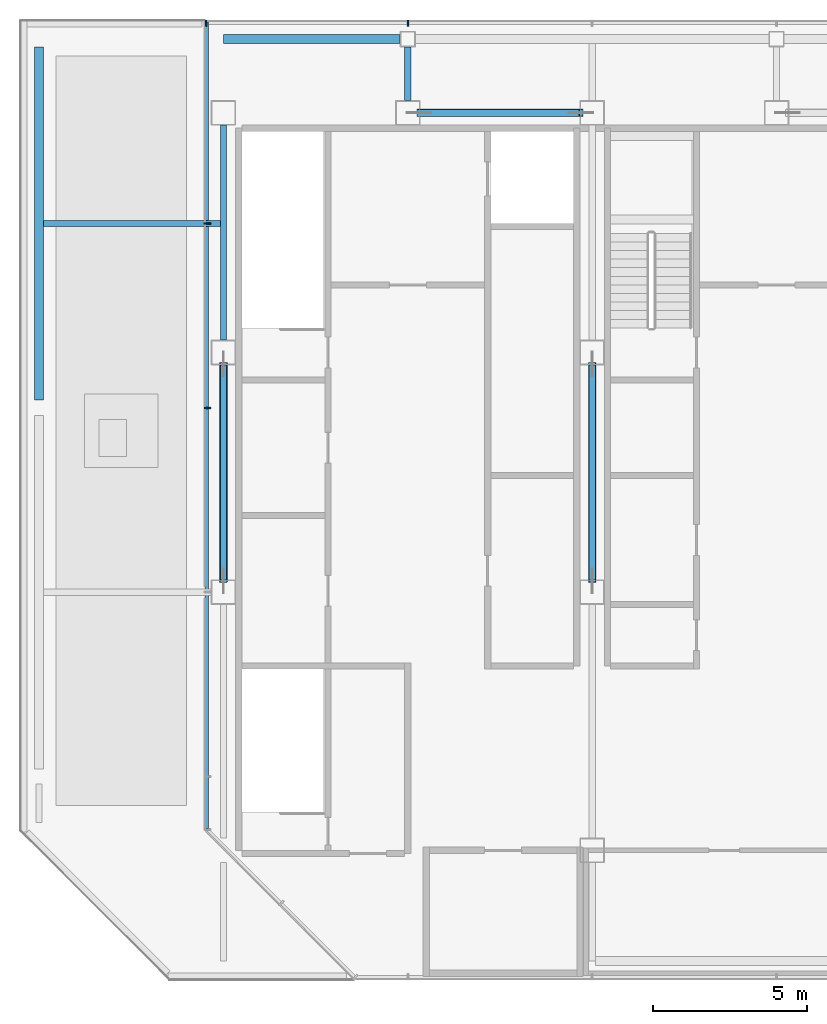
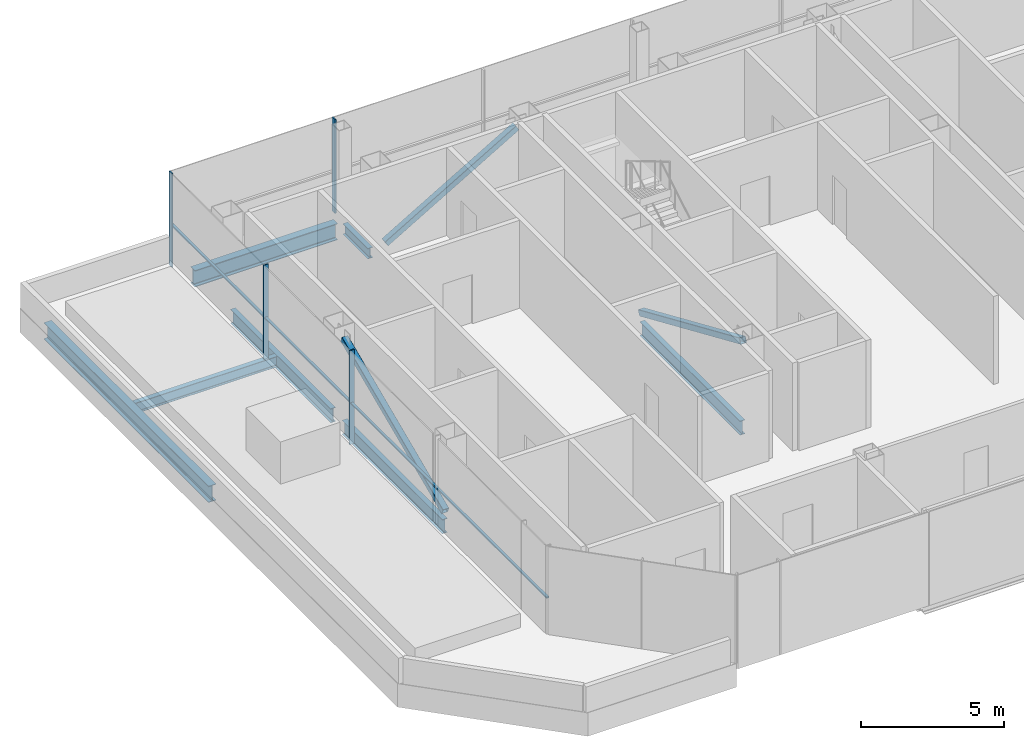
# One storey, part 4 of 12: 8 members, 7 beams, 2 elements without a shape of their own.
"""IFC4 building model written with IfcOpenShell, lengths in metres."""

from ifc_helpers import new_model, si_unit, direction, frame, origin, origin_2d, place, context, subcontext, project, spatial, rectangle, hollow_rectangle, i_section, extrude, material, material_profile, profile_set, type_object, element, aggregate, save


model = new_model("IFC4")

# Units and contexts
model_context = context("Model", 3, precision=1e-05, world=origin(), true_north=direction((0.0, 1.0)))
body_context = subcontext(model_context, "Body", "Model", "MODEL_VIEW")
ifc_project = project(units=[si_unit("LENGTHUNIT", "METRE"), si_unit("AREAUNIT", "SQUARE_METRE"), si_unit("VOLUMEUNIT", "CUBIC_METRE"), si_unit("PLANEANGLEUNIT", "RADIAN"), si_unit("MASSUNIT", "GRAM", prefix="KILO")], contexts=[model_context])

# Site, building, storey
site_placement = place(None, origin())
site = spatial("IfcSite", under=ifc_project, at=site_placement, CompositionType="ELEMENT")
building_placement = place(site_placement, origin())
building = spatial("IfcBuilding", under=site, at=building_placement, Name="Sorahane Residences", CompositionType="ELEMENT")
storey_placement = place(building_placement, frame((0.0, 0.0, 353.800048828125)))
storey = spatial("IfcBuildingStorey", under=building, at=storey_placement, Name="L84", CompositionType="ELEMENT", Elevation=353.800048828125)

# Members
ifc_material_1 = material(Name="Steel Q355B", Category="steel")
ifc_material_profile_1 = material_profile(ifc_material_1, hollow_rectangle(XDim=0.25, YDim=0.25, WallThickness=0.011962890625, InnerFilletRadius=0.006103515625, OuterFilletRadius=0.01806640625, at=origin_2d()), Name="RHS 250x250x12")
ifc_profile_set_1 = profile_set([ifc_material_profile_1], Name="Steel Q355B")
member_type_1 = type_object("IfcMemberType", Name="Core brace RHS 250x250x12 Q355B", PredefinedType="BRACE", material=ifc_profile_set_1)
member_1_placement = place(storey_placement, frame((12.362060546875, 45.60009765625, 0.102783203125), z_axis=(0.862574842184, 0.0, 0.505929482864), x_axis=(0.0, 1.0, 0.0)))
element("IfcMember", 1, at=member_1_placement, inside=storey, type_object=member_type_1, Name="Core brace L84 y45.6-2", PredefinedType="BRACE", context=body_context, shape_type="SweptSolid", body=[
    extrude(hollow_rectangle(XDim=0.25, YDim=0.25, WallThickness=0.011962890625, InnerFilletRadius=0.006103515625, OuterFilletRadius=0.01806640625, at=origin_2d()), origin(), (0.0, 0.0, 1.0), 6.116455078125),
])
for number, where, z_axis, x_axis, name in (
    (2, (6.0, 30.3701171875, 0.11181640625), (0.0, 0.916752232611, 0.399456310506), (-1.0, 0.0, 0.0), "Core brace L84 x6-2"),
    (3, (18.0, 37.429931640625, 0.11181640625), (0.0, -0.916752232611, 0.399456310506), (1.0, 0.0, 0.0), "Core brace L84 x18-1"),
):
    element("IfcMember", number, at=place(storey_placement, frame(where, z_axis=z_axis, x_axis=x_axis)), inside=storey, type_object=member_type_1, Name=name, PredefinedType="BRACE", context=body_context, shape_type="SweptSolid", body=[
        extrude(hollow_rectangle(XDim=0.25, YDim=0.25, WallThickness=0.011962890625, InnerFilletRadius=0.006103515625, OuterFilletRadius=0.01806640625, at=origin_2d()), origin(), (0.0, 0.0, 1.0), 7.700927734375),
    ])

# Curtain wall, members
ifc_material_2 = material(Name="Dark low-e glass and black anodised aluminium", Category="aluminium")
curtain_wall_type = type_object("IfcCurtainWallType", Name="Curtain wall CW-6 Crown unitised wall", PredefinedType="NOTDEFINED", material=ifc_material_2)
curtain_wall_1_placement = place(storey_placement, origin())
curtain_wall_1 = element("IfcCurtainWall", 4, at=curtain_wall_1_placement, inside=storey, type_object=curtain_wall_type, Name="CW-6 curtain wall L84 N1", PredefinedType="NOTDEFINED")
ifc_material_3 = material(Name="Black anodised aluminium", Category="aluminium")
ifc_material_profile_2 = material_profile(ifc_material_3, rectangle(XDim=0.199951171875, YDim=0.050048828125, at=origin_2d()), Name="Curtain wall mullion CW-6 black anodised aluminium 50x200")
ifc_profile_set_2 = profile_set([ifc_material_profile_2], Name="Black anodised aluminium")
member_type_2 = type_object("IfcMemberType", Name="Curtain wall mullion CW-6 black anodised aluminium 50x200", PredefinedType="MULLION", material=ifc_profile_set_2)
member_2_placement = place(storey_placement, frame((12.0, 48.52001953125, -0.25), z_axis=(0.0, 0.0, 1.0), x_axis=(0.0, 1.0, 0.0)))
member_2 = element("IfcMember", 5, at=member_2_placement, type_object=member_type_2, Name="CW-6 mullion L84 N1.6", PredefinedType="MULLION", context=body_context, shape_type="SweptSolid", body=[
    extrude(rectangle(XDim=0.199951171875, YDim=0.050048828125, at=origin_2d()), origin(), (0.0, 0.0, 1.0), 4.0),
])
member_3_placement = place(storey_placement, frame((5.425048828125, 48.52001953125, -0.25), z_axis=(0.0, 0.0, 1.0), x_axis=(0.0, 1.0, 0.0)))
member_3 = element("IfcMember", 6, at=member_3_placement, type_object=member_type_2, Name="CW-6 mullion L84 N1.7", PredefinedType="MULLION", context=body_context, shape_type="SweptSolid", body=[
    extrude(rectangle(XDim=0.199951171875, YDim=0.050048828125, at=origin_2d()), origin(), (0.0, 0.0, 1.0), 4.0),
])
aggregate(curtain_wall_1, [member_2, member_3])

curtain_wall_2_placement = place(storey_placement, origin())
curtain_wall_2 = element("IfcCurtainWall", 7, at=curtain_wall_2_placement, inside=storey, type_object=curtain_wall_type, Name="CW-6 curtain wall L84 W1", PredefinedType="NOTDEFINED")
member_4_placement = place(storey_placement, frame((5.47998046875, 42.0, -0.25), z_axis=(0.0, 0.0, 1.0), x_axis=(-1.0, 0.0, 0.0)))
member_4 = element("IfcMember", 8, at=member_4_placement, type_object=member_type_2, Name="CW-6 mullion L84 W1.2", PredefinedType="MULLION", context=body_context, shape_type="SweptSolid", body=[
    extrude(rectangle(XDim=0.199951171875, YDim=0.050048828125, at=origin_2d()), origin(), (0.0, 0.0, 1.0), 4.0),
])
member_5_placement = place(storey_placement, frame((5.47998046875, 36.0, -0.25), z_axis=(0.0, 0.0, 1.0), x_axis=(-1.0, 0.0, 0.0)))
member_5 = element("IfcMember", 9, at=member_5_placement, type_object=member_type_2, Name="CW-6 mullion L84 W1.3", PredefinedType="MULLION", context=body_context, shape_type="SweptSolid", body=[
    extrude(rectangle(XDim=0.199951171875, YDim=0.050048828125, at=origin_2d()), origin(), (0.0, 0.0, 1.0), 4.0),
])
ifc_material_4 = material(Name="Black anodised aluminium", Category="aluminium")
ifc_material_profile_3 = material_profile(ifc_material_4, rectangle(XDim=0.10009765625, YDim=0.06005859375, at=origin_2d()), Name="Curtain wall transom CW-6 black anodised aluminium 60x100")
ifc_profile_set_3 = profile_set([ifc_material_profile_3], Name="Black anodised aluminium")
member_type_3 = type_object("IfcMemberType", Name="Curtain wall transom CW-6 black anodised aluminium 60x100", PredefinedType="USERDEFINED", material=ifc_profile_set_3)
member_6_placement = place(storey_placement, frame((5.469970703125, 48.550048828125, 1.5), z_axis=(0.0, -1.0, 0.0), x_axis=(1.0, 0.0, 0.0)))
member_6 = element("IfcMember", 10, at=member_6_placement, type_object=member_type_3, Name="CW-6 transom L84 W1", ObjectType="TRANSOM", PredefinedType="USERDEFINED", context=body_context, shape_type="SweptSolid", body=[
    extrude(rectangle(XDim=0.10009765625, YDim=0.06005859375, at=origin_2d()), origin(), (0.0, 0.0, 1.0), 26.24853515625),
])
aggregate(curtain_wall_2, [member_4, member_5, member_6])

# Beams
ifc_material_5 = material(Name="Steel Q355B", Category="steel")
ifc_material_profile_4 = material_profile(ifc_material_5, i_section(OverallWidth=0.199951171875, OverallDepth=0.449951171875, WebThickness=0.009033203125, FlangeThickness=0.013916015625, FilletRadius=0.02001953125, at=origin_2d()), Name="HN 450x200x9x14")
ifc_profile_set_4 = profile_set([ifc_material_profile_4], Name="Steel Q355B")
beam_type_1 = type_object("IfcBeamType", Name="Steel floor beam HN 450x200x9x14 Q355B", PredefinedType="BEAM", material=ifc_profile_set_4)
beam_1_placement = place(storey_placement, frame((12.0, 46.0, -0.47509765625), z_axis=(0.0, 1.0, 0.0), x_axis=(-1.0, 0.0, 0.0)))
element("IfcBeam", 11, at=beam_1_placement, inside=storey, type_object=beam_type_1, Name="Beam L84 011", PredefinedType="BEAM", context=body_context, shape_type="SweptSolid", body=[
    extrude(i_section(OverallWidth=0.199951171875, OverallDepth=0.449951171875, WebThickness=0.009033203125, FlangeThickness=0.013916015625, FilletRadius=0.02001953125, at=origin_2d()), origin(), (0.0, 0.0, 1.0), 1.75),
])
beam_2_placement = place(storey_placement, frame((0.14990234375, 42.0, -0.47509765625), z_axis=(1.0, 0.0, 0.0), x_axis=(0.0, 1.0, 0.0)))
element("IfcBeam", 12, at=beam_2_placement, inside=storey, type_object=beam_type_1, Name="Beam L84 028", PredefinedType="BEAM", context=body_context, shape_type="SweptSolid", body=[
    extrude(i_section(OverallWidth=0.199951171875, OverallDepth=0.449951171875, WebThickness=0.009033203125, FlangeThickness=0.013916015625, FilletRadius=0.02001953125, at=origin_2d()), origin(), (0.0, 0.0, 1.0), 5.75),
])
ifc_material_6 = material(Name="Steel Q355B", Category="steel")
ifc_material_profile_5 = material_profile(ifc_material_6, i_section(OverallWidth=0.199951171875, OverallDepth=0.60009765625, WebThickness=0.010986328125, FlangeThickness=0.01708984375, FilletRadius=0.02392578125, at=origin_2d()), Name="HN 600x200x11x17")
ifc_profile_set_5 = profile_set([ifc_material_profile_5], Name="Steel Q355B")
beam_type_2 = type_object("IfcBeamType", Name="Steel floor beam HN 600x200x11x17 Q355B", PredefinedType="BEAM", material=ifc_profile_set_5)
for number, where, z_axis, x_axis, name in (
    (13, (6.0, 30.39990234375, -0.550048828125), (0.0, 1.0, 0.0), (-1.0, 0.0, 0.0), "Beam L84 008"),
    (14, (6.0, 38.199951171875, -0.550048828125), (0.0, 1.0, 0.0), (-1.0, 0.0, 0.0), "Beam L84 009"),
    (15, (18.0, 30.39990234375, -0.550048828125), (0.0, 1.0, 0.0), (-1.0, 0.0, 0.0), "Beam L84 013"),
):
    element("IfcBeam", number, at=place(storey_placement, frame(where, z_axis=z_axis, x_axis=x_axis)), inside=storey, type_object=beam_type_2, Name=name, PredefinedType="BEAM", context=body_context, shape_type="SweptSolid", body=[
        extrude(i_section(OverallWidth=0.199951171875, OverallDepth=0.60009765625, WebThickness=0.010986328125, FlangeThickness=0.01708984375, FilletRadius=0.02392578125, at=origin_2d()), origin(), (0.0, 0.0, 1.0), 7.0),
    ])
ifc_material_7 = material(Name="Steel Q355B", Category="steel")
ifc_material_profile_6 = material_profile(ifc_material_7, i_section(OverallWidth=0.300048828125, OverallDepth=0.699951171875, WebThickness=0.012939453125, FlangeThickness=0.02392578125, FilletRadius=0.028076171875, at=origin_2d()), Name="HN 700x300x13x24")
ifc_profile_set_6 = profile_set([ifc_material_profile_6], Name="Steel Q355B")
beam_type_3 = type_object("IfcBeamType", Name="Steel floor beam HN 700x300x13x24 Q355B", PredefinedType="BEAM", material=ifc_profile_set_6)
beam_3_placement = place(storey_placement, frame((6.0, 48.0, -0.60009765625), z_axis=(1.0, 0.0, 0.0), x_axis=(0.0, 1.0, 0.0)))
element("IfcBeam", 16, at=beam_3_placement, inside=storey, type_object=beam_type_3, Name="Beam L84 002", PredefinedType="BEAM", context=body_context, shape_type="SweptSolid", body=[
    extrude(i_section(OverallWidth=0.300048828125, OverallDepth=0.699951171875, WebThickness=0.012939453125, FlangeThickness=0.02392578125, FilletRadius=0.028076171875, at=origin_2d()), origin(), (0.0, 0.0, 1.0), 5.75),
])
beam_4_placement = place(storey_placement, frame((0.0, 36.25, -0.60009765625), z_axis=(0.0, 1.0, 0.0), x_axis=(-1.0, 0.0, 0.0)))
element("IfcBeam", 17, at=beam_4_placement, inside=storey, type_object=beam_type_3, Name="Beam L84 005", PredefinedType="BEAM", context=body_context, shape_type="SweptSolid", body=[
    extrude(i_section(OverallWidth=0.300048828125, OverallDepth=0.699951171875, WebThickness=0.012939453125, FlangeThickness=0.02392578125, FilletRadius=0.028076171875, at=origin_2d()), origin(), (0.0, 0.0, 1.0), 11.5),
])

save(model, "model.ifc")
